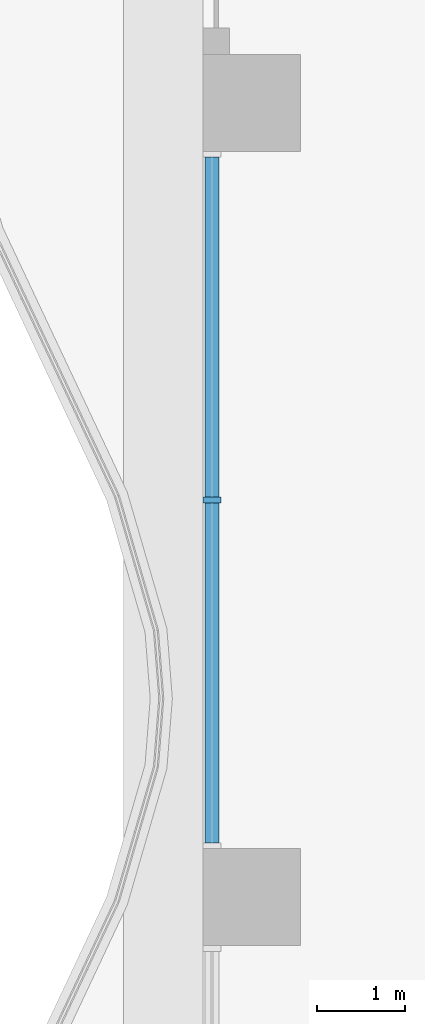
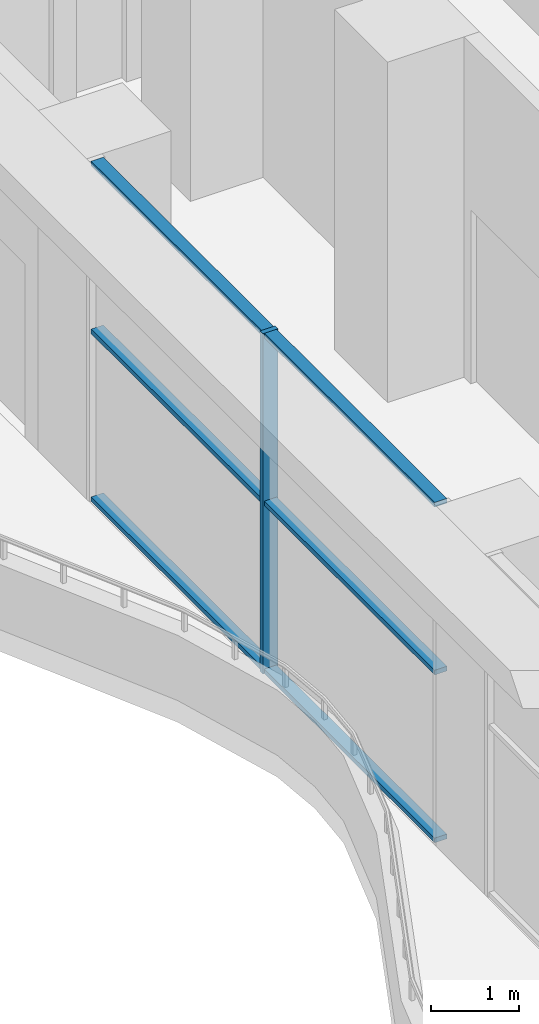
# One storey, part 3 of 16: 7 members, 1 element without a shape of its own.
"""IFC4 building model written with IfcOpenShell, lengths in metres."""

from ifc_helpers import new_model, si_unit, direction, frame, origin, origin_2d, place, context, subcontext, project, spatial, rectangle, extrude, material, material_profile, profile_set, type_object, element, aggregate, save


model = new_model("IFC4")

# Units and contexts
model_context = context("Model", 3, precision=1e-05, world=origin(), true_north=direction((0.0, 1.0)))
body_context = subcontext(model_context, "Body", "Model", "MODEL_VIEW")
ifc_project = project(units=[si_unit("LENGTHUNIT", "METRE"), si_unit("AREAUNIT", "SQUARE_METRE"), si_unit("VOLUMEUNIT", "CUBIC_METRE"), si_unit("PLANEANGLEUNIT", "RADIAN"), si_unit("MASSUNIT", "GRAM", prefix="KILO")], contexts=[model_context])

# Site, building, storey
site_placement = place(None, origin())
site = spatial("IfcSite", under=ifc_project, at=site_placement, CompositionType="ELEMENT")
building_placement = place(site_placement, origin())
building = spatial("IfcBuilding", under=site, at=building_placement, Name="Orbiselva Terraces", CompositionType="ELEMENT")
storey_placement = place(building_placement, frame((0.0, 0.0, 174.4)))
storey = spatial("IfcBuildingStorey", under=building, at=storey_placement, Name="L44", CompositionType="ELEMENT", Elevation=174.4)

# Curtain wall, members
ifc_material_1 = material(Name="Clear low-e glazing in aluminium frame", Category="aluminium")
curtain_wall_type = type_object("IfcCurtainWallType", Name="ENV-CW-SKY", PredefinedType="NOTDEFINED", material=ifc_material_1)
curtain_wall_placement = place(storey_placement, origin())
curtain_wall = element("IfcCurtainWall", 1, at=curtain_wall_placement, inside=storey, type_object=curtain_wall_type, Name="Curtain wall L44 W", PredefinedType="NOTDEFINED")
ifc_material_2 = material(Name="Anodised aluminium", Category="aluminium")
ifc_material_profile_1 = material_profile(ifc_material_2, rectangle(XDim=0.2, YDim=0.065, at=origin_2d()), Name="AL 65x200")
ifc_profile_set_1 = profile_set([ifc_material_profile_1], Name="Anodised aluminium")
member_type_1 = type_object("IfcMemberType", Name="ENV-CW-SKY-MULLION-65x200", PredefinedType="MULLION", material=ifc_profile_set_1)
member_1_placement = place(storey_placement, frame((-22.4, 9.0, 0.0), z_axis=(0.0, 0.0, 1.0), x_axis=(1.0, 0.0, 0.0)))
member_1 = element("IfcMember", 2, at=member_1_placement, type_object=member_type_1, Name="CW3 mullion 2", PredefinedType="MULLION", context=body_context, shape_type="SweptSolid", body=[
    extrude(rectangle(XDim=0.2, YDim=0.065, at=origin_2d()), origin(), (0.0, 0.0, 1.0), 4.7),
])
ifc_material_profile_2 = material_profile(ifc_material_2, rectangle(XDim=0.16, YDim=0.065, at=origin_2d()), Name="AL 65x160")
ifc_profile_set_2 = profile_set([ifc_material_profile_2], Name="Anodised aluminium")
member_type_2 = type_object("IfcMemberType", Name="ENV-CW-SKY-TRANSOM-65x160", PredefinedType="USERDEFINED", material=ifc_profile_set_2)
member_2_placement = place(storey_placement, frame((-22.4, 12.885, 0.0325), z_axis=(0.0, -1.0, 0.0), x_axis=(1.0, 0.0, 0.0)))
member_2 = element("IfcMember", 3, at=member_2_placement, type_object=member_type_2, Name="CW3 transom 1.1", ObjectType="TRANSOM", PredefinedType="USERDEFINED", context=body_context, shape_type="SweptSolid", body=[
    extrude(rectangle(XDim=0.16, YDim=0.065, at=origin_2d()), origin(), (0.0, 0.0, 1.0), 3.8525),
])
member_3_placement = place(storey_placement, frame((-22.4, 12.885, 2.35), z_axis=(0.0, -1.0, 0.0), x_axis=(1.0, 0.0, 0.0)))
member_3 = element("IfcMember", 4, at=member_3_placement, type_object=member_type_2, Name="CW3 transom 1.2", ObjectType="TRANSOM", PredefinedType="USERDEFINED", context=body_context, shape_type="SweptSolid", body=[
    extrude(rectangle(XDim=0.16, YDim=0.065, at=origin_2d()), origin(), (0.0, 0.0, 1.0), 3.8525),
])
member_4_placement = place(storey_placement, frame((-22.4, 12.885, 4.6675), z_axis=(0.0, -1.0, 0.0), x_axis=(1.0, 0.0, 0.0)))
member_4 = element("IfcMember", 5, at=member_4_placement, type_object=member_type_2, Name="CW3 transom 1.3", ObjectType="TRANSOM", PredefinedType="USERDEFINED", context=body_context, shape_type="SweptSolid", body=[
    extrude(rectangle(XDim=0.16, YDim=0.065, at=origin_2d()), origin(), (0.0, 0.0, 1.0), 3.8525),
])
member_5_placement = place(storey_placement, frame((-22.4, 8.9675, 0.0325), z_axis=(0.0, -1.0, 0.0), x_axis=(1.0, 0.0, 0.0)))
member_5 = element("IfcMember", 6, at=member_5_placement, type_object=member_type_2, Name="CW3 transom 2.1", ObjectType="TRANSOM", PredefinedType="USERDEFINED", context=body_context, shape_type="SweptSolid", body=[
    extrude(rectangle(XDim=0.16, YDim=0.065, at=origin_2d()), origin(), (0.0, 0.0, 1.0), 3.8525),
])
member_6_placement = place(storey_placement, frame((-22.4, 8.9675, 2.35), z_axis=(0.0, -1.0, 0.0), x_axis=(1.0, 0.0, 0.0)))
member_6 = element("IfcMember", 7, at=member_6_placement, type_object=member_type_2, Name="CW3 transom 2.2", ObjectType="TRANSOM", PredefinedType="USERDEFINED", context=body_context, shape_type="SweptSolid", body=[
    extrude(rectangle(XDim=0.16, YDim=0.065, at=origin_2d()), origin(), (0.0, 0.0, 1.0), 3.8525),
])
member_7_placement = place(storey_placement, frame((-22.4, 8.9675, 4.6675), z_axis=(0.0, -1.0, 0.0), x_axis=(1.0, 0.0, 0.0)))
member_7 = element("IfcMember", 8, at=member_7_placement, type_object=member_type_2, Name="CW3 transom 2.3", ObjectType="TRANSOM", PredefinedType="USERDEFINED", context=body_context, shape_type="SweptSolid", body=[
    extrude(rectangle(XDim=0.16, YDim=0.065, at=origin_2d()), origin(), (0.0, 0.0, 1.0), 3.8525),
])
aggregate(curtain_wall, [member_1, member_2, member_3, member_4, member_5, member_6, member_7])

save(model, "model.ifc")
